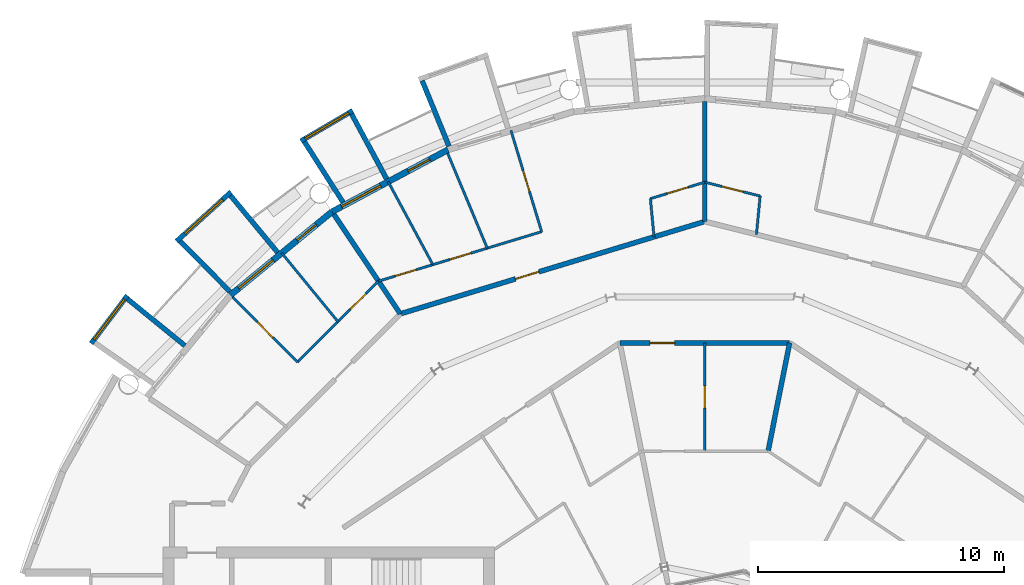
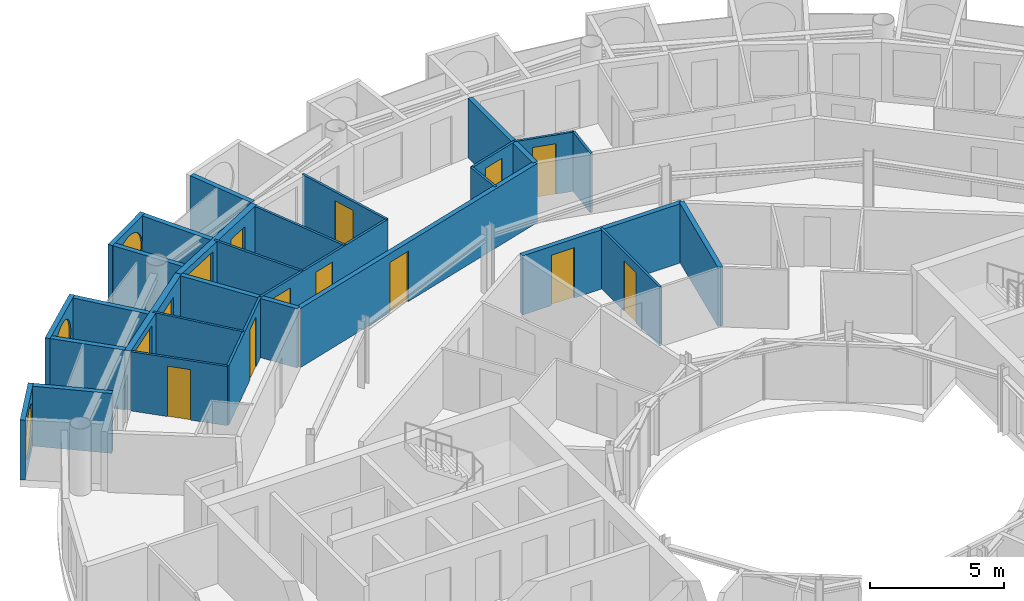
# One storey, part 21 of 28: 28 walls, 12 doors, 5 windows, 17 openings.
"""IFC4 building model written with IfcOpenShell, lengths in metres."""

from ifc_helpers import new_model, si_unit, direction, frame, frame_2d, origin, place, context, subcontext, project, spatial, rectangle, circle, extrude, material, layer, layer_set, type_object, element, fill, save


model = new_model("IFC4")

# Units and contexts
model_context = context("Model", 3, precision=1e-05, world=origin(), true_north=direction((0.0, 1.0)))
body_context = subcontext(model_context, "Body", "Model", "MODEL_VIEW")
ifc_project = project(units=[si_unit("LENGTHUNIT", "METRE"), si_unit("AREAUNIT", "SQUARE_METRE"), si_unit("VOLUMEUNIT", "CUBIC_METRE"), si_unit("PLANEANGLEUNIT", "RADIAN"), si_unit("MASSUNIT", "GRAM", prefix="KILO")], contexts=[model_context])

# Site, building, storey
site_placement = place(None, origin())
site = spatial("IfcSite", under=ifc_project, at=site_placement, CompositionType="ELEMENT")
building_placement = place(site_placement, origin())
building = spatial("IfcBuilding", under=site, at=building_placement, Name="Maasbend Ring Residences", CompositionType="ELEMENT")
storey_placement = place(building_placement, frame((0.0, 0.0, 196.300048828125)))
storey = spatial("IfcBuildingStorey", under=building, at=storey_placement, Name="L56", CompositionType="ELEMENT", Elevation=196.300048828125)

# Wall, opening, door
ifc_material_1 = material(Name="Concrete C30/37", Category="concrete")
ifc_layer_1 = layer(ifc_material_1, 0.199951171875)
ifc_layer_set_1 = layer_set([ifc_layer_1], Name="Concrete C30/37")
wall_type_1 = type_object("IfcWallType", Name="CORRIDOR WALL 200 CONCRETE", PredefinedType="PARTITIONING", material=ifc_layer_set_1)
wall_1_placement = place(storey_placement, frame((-3.452880859375, 17.360107421875, 0.0), z_axis=(0.0, 0.0, 1.0), x_axis=(1.0, 0.0, 0.0)))
wall_1 = element("IfcWall", 1, at=wall_1_placement, inside=storey, type_object=wall_type_1, Name="U-L56-w101", PredefinedType="PARTITIONING", context=body_context, shape_type="SweptSolid", body=[
    extrude(rectangle(XDim=6.90576171875, YDim=0.199951171875, at=frame_2d((3.452880859375, 0.0))), origin(), (0.0, 0.0, 1.0), 2.699951171875),
])
opening_1_placement = place(wall_1_placement, frame((1.22705078125, 0.0, 0.0)))
opening_1 = element("IfcOpeningElement", 2, at=opening_1_placement, cuts=wall_1, Name="Opening D-5624", PredefinedType="OPENING", context=body_context, shape_type="SweptSolid", body=[
    extrude(rectangle(XDim=1.0, YDim=2.300048828125, at=frame_2d((0.5, 1.14990234375))), frame((0.0, 0.10986328125, 0.0), z_axis=(0.0, -1.0, 0.0), x_axis=(1.0, 0.0, 0.0)), (0.0, 0.0, 1.0), 0.219970703125),
])
ifc_material_2 = material(Name="Timber, fire-rated, painted", Category="wood")
door_type_1 = type_object("IfcDoorType", Name="FLAT ENTRANCE DOOR 1000 X 2300 FIRE-RATED", OperationType="NOTDEFINED", PredefinedType="DOOR", material=ifc_material_2)
door_1_placement = place(opening_1_placement, origin())
door_1 = element("IfcDoor", 3, at=door_1_placement, inside=storey, type_object=door_type_1, Name="D-5624", OperationType="SINGLE_SWING_LEFT", OverallHeight=2.300048828125, OverallWidth=1.0, PredefinedType="DOOR", context=body_context, shape_type="SweptSolid", body=[
    extrude(rectangle(XDim=1.0, YDim=2.300048828125, at=frame_2d((0.5, 1.14990234375))), frame((0.0, 0.02490234375, 0.0), z_axis=(0.0, -1.0, 0.0), x_axis=(1.0, 0.0, 0.0)), (0.0, 0.0, 1.0), 0.050048828125),
])
fill(opening_1, door_1)

wall_2_placement = place(storey_placement, frame((-12.388916015625, 18.5419921875, 0.0), z_axis=(0.0, 0.0, 1.0), x_axis=(0.956942051091, 0.290279022415, 0.0)))
wall_2 = element("IfcWall", 4, at=wall_2_placement, inside=storey, type_object=wall_type_1, Name="U-L56-w102", PredefinedType="PARTITIONING", context=body_context, shape_type="SweptSolid", body=[
    extrude(rectangle(XDim=12.9462890625, YDim=0.199951171875, at=frame_2d((6.47314453125, 0.0))), origin(), (0.0, 0.0, 1.0), 2.699951171875),
])
opening_2_placement = place(wall_2_placement, frame((4.89501953125, 0.0, 0.0)))
opening_2 = element("IfcOpeningElement", 5, at=opening_2_placement, cuts=wall_2, Name="Opening D-5611", PredefinedType="OPENING", context=body_context, shape_type="SweptSolid", body=[
    extrude(rectangle(XDim=1.0, YDim=2.300048828125, at=frame_2d((0.5, 1.14990234375))), frame((0.0, 0.10986328125, 0.0), z_axis=(0.0, -1.0, 0.0), x_axis=(1.0, 0.0, 0.0)), (0.0, 0.0, 1.0), 0.219970703125),
])
door_2_placement = place(opening_2_placement, origin())
door_2 = element("IfcDoor", 6, at=door_2_placement, inside=storey, type_object=door_type_1, Name="D-5611", OperationType="SINGLE_SWING_LEFT", OverallHeight=2.300048828125, OverallWidth=1.0, PredefinedType="DOOR", context=body_context, shape_type="SweptSolid", body=[
    extrude(rectangle(XDim=1.0, YDim=2.300048828125, at=frame_2d((0.5, 1.14990234375))), frame((0.0, 0.02490234375, 0.0), z_axis=(0.0, -1.0, 0.0), x_axis=(1.0, 0.0, 0.0)), (0.0, 0.0, 1.0), 0.050048828125),
])
fill(opening_2, door_2)

# Wall
ifc_material_3 = material(Name="Pale anodised aluminium panel", Category="aluminium")
ifc_layer_2 = layer(ifc_material_3, 0.199951171875)
ifc_layer_set_2 = layer_set([ifc_layer_2], Name="EW-BOX")
wall_type_2 = type_object("IfcWallType", Name="EW-BOX", PredefinedType="SOLIDWALL", material=ifc_layer_set_2)
wall_3_placement = place(storey_placement, frame((-10.408935546875, 25.364013671875, -0.030029296875), z_axis=(0.0, 0.0, 1.0), x_axis=(-0.379509886562, 0.925187681501, 0.0)))
element("IfcWall", 7, at=wall_3_placement, inside=storey, type_object=wall_type_2, Name="Box side wall N14 right", PredefinedType="SOLIDWALL", context=body_context, shape_type="SweptSolid", body=[
    extrude(rectangle(XDim=2.882568359375, YDim=0.199951171875, at=frame_2d((1.44140625, 0.0))), origin(), (0.0, 0.0, 1.0), 2.72998046875),
])

# Wall, opening, window
wall_4_placement = place(storey_placement, frame((-14.326904296875, 26.81201171875, -0.030029296875), z_axis=(0.0, 0.0, 1.0), x_axis=(-0.862403467503, -0.506221551535, 0.0)))
wall_4 = element("IfcWall", 8, at=wall_4_placement, inside=storey, type_object=wall_type_2, Name="Box front N16", PredefinedType="SOLIDWALL", context=body_context, shape_type="SweptSolid", body=[
    extrude(rectangle(XDim=2.445556640625, YDim=0.199951171875, at=frame_2d((1.22265625, 0.0))), origin(), (0.0, 0.0, 1.0), 2.72998046875),
])
opening_3_placement = place(wall_4_placement, frame((0.182861328125, 0.0, 0.330078125)))
opening_3 = element("IfcOpeningElement", 9, at=opening_3_placement, cuts=wall_4, Name="Opening W-RD", PredefinedType="OPENING", context=body_context, shape_type="SweptSolid", body=[
    extrude(circle(Radius=1.0400390625, at=frame_2d((1.0400390625, 1.0400390625))), frame((0.0, 0.10986328125, 0.0), z_axis=(0.0, -1.0, 0.0), x_axis=(1.0, 0.0, 0.0)), (0.0, 0.0, 1.0), 0.219970703125),
])
ifc_material_4 = material(Name="Aluminium and clear glass", Category="aluminium")
window_type_1 = type_object("IfcWindowType", Name="W-RD", PartitioningType="SINGLE_PANEL", PredefinedType="WINDOW", material=ifc_material_4)
window_1_placement = place(opening_3_placement, origin())
window_1 = element("IfcWindow", 10, at=window_1_placement, inside=storey, type_object=window_type_1, Name="Round window N16", OverallHeight=2.080078125, OverallWidth=2.080078125, PartitioningType="SINGLE_PANEL", PredefinedType="WINDOW", context=body_context, shape_type="SweptSolid", body=[
    extrude(circle(Radius=1.0400390625, at=frame_2d((1.0400390625, 1.0400390625))), frame((0.0, 0.030029296875, 0.0), z_axis=(0.0, -1.0, 0.0), x_axis=(1.0, 0.0, 0.0)), (0.0, 0.0, 1.0), 0.06005859375),
])
fill(opening_3, window_1)

# Walls
wall_5_placement = place(storey_placement, frame((-12.945068359375, 24.029052734375, -0.030029296875), z_axis=(0.0, 0.0, 1.0), x_axis=(-0.474424310775, 0.88029629861, 0.0)))
element("IfcWall", 11, at=wall_5_placement, inside=storey, type_object=wall_type_2, Name="Box side wall N16 left", PredefinedType="SOLIDWALL", context=body_context, shape_type="SweptSolid", body=[
    extrude(rectangle(XDim=3.005859375, YDim=0.199951171875, at=frame_2d((1.5029296875, 0.0))), origin(), (0.0, 0.0, 1.0), 2.72998046875),
])
wall_6_placement = place(storey_placement, frame((-14.721923828125, 23.0791015625, -0.030029296875), z_axis=(0.0, 0.0, 1.0), x_axis=(-0.537572179146, 0.843217737129, 0.0)))
element("IfcWall", 12, at=wall_6_placement, inside=storey, type_object=wall_type_2, Name="Box side wall N16 right", PredefinedType="SOLIDWALL", context=body_context, shape_type="SweptSolid", body=[
    extrude(rectangle(XDim=2.92431640625, YDim=0.199951171875, at=frame_2d((1.462158203125, 0.0))), origin(), (0.0, 0.0, 1.0), 2.72998046875),
])

# Wall, opening, window
wall_7_placement = place(storey_placement, frame((-19.281982421875, 23.5029296875, -0.030029296875), z_axis=(0.0, 0.0, 1.0), x_axis=(-0.740998365753, -0.671506829416, 0.0)))
wall_7 = element("IfcWall", 13, at=wall_7_placement, inside=storey, type_object=wall_type_2, Name="Box front N18", PredefinedType="SOLIDWALL", context=body_context, shape_type="SweptSolid", body=[
    extrude(rectangle(XDim=2.9931640625, YDim=0.199951171875, at=frame_2d((1.49658203125, 0.0))), origin(), (0.0, 0.0, 1.0), 2.72998046875),
])
opening_4_placement = place(wall_7_placement, frame((0.45654296875, 0.0, 0.330078125)))
opening_4 = element("IfcOpeningElement", 14, at=opening_4_placement, cuts=wall_7, Name="Opening W-RD", PredefinedType="OPENING", context=body_context, shape_type="SweptSolid", body=[
    extrude(circle(Radius=1.0400390625, at=frame_2d((1.0400390625, 1.0400390625))), frame((0.0, 0.10986328125, 0.0), z_axis=(0.0, -1.0, 0.0), x_axis=(1.0, 0.0, 0.0)), (0.0, 0.0, 1.0), 0.219970703125),
])
window_2_placement = place(opening_4_placement, origin())
window_2 = element("IfcWindow", 15, at=window_2_placement, inside=storey, type_object=window_type_1, Name="Round window N18", OverallHeight=2.080078125, OverallWidth=2.080078125, PartitioningType="SINGLE_PANEL", PredefinedType="WINDOW", context=body_context, shape_type="SweptSolid", body=[
    extrude(circle(Radius=1.0400390625, at=frame_2d((1.0400390625, 1.0400390625))), frame((0.0, 0.030029296875, 0.0), z_axis=(0.0, -1.0, 0.0), x_axis=(1.0, 0.0, 0.0)), (0.0, 0.0, 1.0), 0.06005859375),
])
fill(opening_4, window_2)

# Walls
wall_8_placement = place(storey_placement, frame((-17.384033203125, 21.041015625, -0.030029296875), z_axis=(0.0, 0.0, 1.0), x_axis=(-0.63709551667, 0.770784861449, 0.0)))
element("IfcWall", 16, at=wall_8_placement, inside=storey, type_object=wall_type_2, Name="Box side wall N18 left", PredefinedType="SOLIDWALL", context=body_context, shape_type="SweptSolid", body=[
    extrude(rectangle(XDim=3.005859375, YDim=0.199951171875, at=frame_2d((1.5029296875, 0.0))), origin(), (0.0, 0.0, 1.0), 2.72998046875),
])
wall_9_placement = place(storey_placement, frame((-19.322998046875, 19.449951171875, -0.030029296875), z_axis=(0.0, 0.0, 1.0), x_axis=(-0.704476739375, 0.709727076896, 0.0)))
element("IfcWall", 17, at=wall_9_placement, inside=storey, type_object=wall_type_2, Name="Box side wall N18 right", PredefinedType="SOLIDWALL", context=body_context, shape_type="SweptSolid", body=[
    extrude(rectangle(XDim=2.883056640625, YDim=0.199951171875, at=frame_2d((1.44140625, 0.0))), origin(), (0.0, 0.0, 1.0), 2.72998046875),
])

# Wall, opening, window
wall_10_placement = place(storey_placement, frame((-23.4970703125, 19.2890625, -0.030029296875), z_axis=(0.0, 0.0, 1.0), x_axis=(-0.602806268067, -0.797887588059, 0.0)))
wall_10 = element("IfcWall", 18, at=wall_10_placement, inside=storey, type_object=wall_type_2, Name="Box front N20", PredefinedType="SOLIDWALL", context=body_context, shape_type="SweptSolid", body=[
    extrude(rectangle(XDim=2.446533203125, YDim=0.199951171875, at=frame_2d((1.22314453125, 0.0))), origin(), (0.0, 0.0, 1.0), 2.72998046875),
])
opening_5_placement = place(wall_10_placement, frame((0.182861328125, 0.0, 0.330078125)))
opening_5 = element("IfcOpeningElement", 19, at=opening_5_placement, cuts=wall_10, Name="Opening W-RD", PredefinedType="OPENING", context=body_context, shape_type="SweptSolid", body=[
    extrude(circle(Radius=1.0400390625, at=frame_2d((1.0400390625, 1.0400390625))), frame((0.0, 0.10986328125, 0.0), z_axis=(0.0, -1.0, 0.0), x_axis=(1.0, 0.0, 0.0)), (0.0, 0.0, 1.0), 0.219970703125),
])
window_3_placement = place(opening_5_placement, origin())
window_3 = element("IfcWindow", 20, at=window_3_placement, inside=storey, type_object=window_type_1, Name="Round window N20", OverallHeight=2.080078125, OverallWidth=2.080078125, PartitioningType="SINGLE_PANEL", PredefinedType="WINDOW", context=body_context, shape_type="SweptSolid", body=[
    extrude(circle(Radius=1.0400390625, at=frame_2d((1.0400390625, 1.0400390625))), frame((0.0, 0.030029296875, 0.0), z_axis=(0.0, -1.0, 0.0), x_axis=(1.0, 0.0, 0.0)), (0.0, 0.0, 1.0), 0.06005859375),
])
fill(opening_5, window_3)

# Wall
wall_11_placement = place(storey_placement, frame((-21.155029296875, 17.24609375, -0.030029296875), z_axis=(0.0, 0.0, 1.0), x_axis=(-0.775179004516, 0.631741648902, 0.0)))
element("IfcWall", 21, at=wall_11_placement, inside=storey, type_object=wall_type_2, Name="Box side wall N20 left", PredefinedType="SOLIDWALL", context=body_context, shape_type="SweptSolid", body=[
    extrude(rectangle(XDim=3.005859375, YDim=0.199951171875, at=frame_2d((1.5029296875, 0.0))), origin(), (0.0, 0.0, 1.0), 2.72998046875),
])

# Wall, openings, door, window
ifc_material_5 = material(Name="Aluminium clad insulated panel", Category="aluminium")
ifc_layer_3 = layer(ifc_material_5, 0.25)
ifc_layer_set_3 = layer_set([ifc_layer_3], Name="EW-GL")
wall_type_3 = type_object("IfcWallType", Name="EW-GL", PredefinedType="SOLIDWALL", material=ifc_layer_set_3)
wall_12_placement = place(storey_placement, frame((-10.447021484375, 25.221923828125, 0.0), z_axis=(0.0, 0.0, 1.0), x_axis=(-0.881915646801, -0.471407246368, 0.0)))
wall_12 = element("IfcWall", 22, at=wall_12_placement, inside=storey, type_object=wall_type_3, Name="External wall N08", PredefinedType="SOLIDWALL", context=body_context, shape_type="SweptSolid", body=[
    extrude(rectangle(XDim=5.35205078125, YDim=0.25, at=frame_2d((2.676025390625, 0.0))), origin(), (0.0, 0.0, 1.0), 2.699951171875),
])
opening_6_placement = place(wall_12_placement, frame((0.841064453125, 0.0, 0.0)))
opening_6 = element("IfcOpeningElement", 23, at=opening_6_placement, cuts=wall_12, Name="Opening D-LG", PredefinedType="OPENING", context=body_context, shape_type="SweptSolid", body=[
    extrude(rectangle(XDim=1.0, YDim=2.199951171875, at=frame_2d((0.5, 1.10009765625))), frame((0.0, 0.135009765625, 0.0), z_axis=(0.0, -1.0, 0.0), x_axis=(1.0, 0.0, 0.0)), (0.0, 0.0, 1.0), 0.27001953125),
])
opening_7_placement = place(wall_12_placement, frame((3.110595703125, 0.0, 0.300048828125)))
opening_7 = element("IfcOpeningElement", 24, at=opening_7_placement, cuts=wall_12, Name="Opening W-BX", PredefinedType="OPENING", context=body_context, shape_type="SweptSolid", body=[
    extrude(rectangle(XDim=1.800048828125, YDim=2.10009765625, at=frame_2d((0.89990234375, 1.050048828125))), frame((0.0, 0.135009765625, 0.0), z_axis=(0.0, -1.0, 0.0), x_axis=(1.0, 0.0, 0.0)), (0.0, 0.0, 1.0), 0.27001953125),
])
ifc_material_6 = material(Name="Aluminium and clear glass", Category="aluminium")
door_type_2 = type_object("IfcDoorType", Name="D-LG", OperationType="SINGLE_SWING_LEFT", PredefinedType="DOOR", material=ifc_material_6)
door_3_placement = place(opening_6_placement, origin())
door_3 = element("IfcDoor", 25, at=door_3_placement, inside=storey, type_object=door_type_2, Name="Loggia door N15", OperationType="SINGLE_SWING_LEFT", OverallHeight=2.199951171875, OverallWidth=1.0, PredefinedType="DOOR", context=body_context, shape_type="SweptSolid", body=[
    extrude(rectangle(XDim=1.0, YDim=2.199951171875, at=frame_2d((0.5, 1.10009765625))), frame((0.0, 0.02490234375, 0.0), z_axis=(0.0, -1.0, 0.0), x_axis=(1.0, 0.0, 0.0)), (0.0, 0.0, 1.0), 0.050048828125),
])
fill(opening_6, door_3)
ifc_material_7 = material(Name="Aluminium and clear glass", Category="aluminium")
window_type_2 = type_object("IfcWindowType", Name="W-BX", PartitioningType="DOUBLE_PANEL_VERTICAL", PredefinedType="WINDOW", material=ifc_material_7)
window_4_placement = place(opening_7_placement, origin())
window_4 = element("IfcWindow", 26, at=window_4_placement, inside=storey, type_object=window_type_2, Name="Window N16 room to box", OverallHeight=2.10009765625, OverallWidth=1.800048828125, PartitioningType="SINGLE_PANEL", PredefinedType="WINDOW", context=body_context, shape_type="SweptSolid", body=[
    extrude(rectangle(XDim=1.800048828125, YDim=2.10009765625, at=frame_2d((0.89990234375, 1.050048828125))), frame((0.0, 0.030029296875, 0.0), z_axis=(0.0, -1.0, 0.0), x_axis=(1.0, 0.0, 0.0)), (0.0, 0.0, 1.0), 0.06005859375),
])
fill(opening_7, window_4)

wall_13_placement = place(storey_placement, frame((-15.1669921875, 22.698974609375, 0.0), z_axis=(0.0, 0.0, 1.0), x_axis=(-0.773019449054, -0.634382322723, 0.0)))
wall_13 = element("IfcWall", 27, at=wall_13_placement, inside=storey, type_object=wall_type_3, Name="External wall N09", PredefinedType="SOLIDWALL", context=body_context, shape_type="SweptSolid", body=[
    extrude(rectangle(XDim=5.351806640625, YDim=0.25, at=frame_2d((2.67578125, 0.0))), origin(), (0.0, 0.0, 1.0), 2.699951171875),
])
opening_8_placement = place(wall_13_placement, frame((0.841064453125, 0.0, 0.0)))
opening_8 = element("IfcOpeningElement", 28, at=opening_8_placement, cuts=wall_13, Name="Opening D-LG", PredefinedType="OPENING", context=body_context, shape_type="SweptSolid", body=[
    extrude(rectangle(XDim=1.0, YDim=2.199951171875, at=frame_2d((0.5, 1.10009765625))), frame((0.0, 0.135009765625, 0.0), z_axis=(0.0, -1.0, 0.0), x_axis=(1.0, 0.0, 0.0)), (0.0, 0.0, 1.0), 0.27001953125),
])
opening_9_placement = place(wall_13_placement, frame((3.110595703125, 0.0, 0.300048828125)))
opening_9 = element("IfcOpeningElement", 29, at=opening_9_placement, cuts=wall_13, Name="Opening W-BX", PredefinedType="OPENING", context=body_context, shape_type="SweptSolid", body=[
    extrude(rectangle(XDim=1.800048828125, YDim=2.10009765625, at=frame_2d((0.89990234375, 1.050048828125))), frame((0.0, 0.135009765625, 0.0), z_axis=(0.0, -1.0, 0.0), x_axis=(1.0, 0.0, 0.0)), (0.0, 0.0, 1.0), 0.27001953125),
])
door_4_placement = place(opening_8_placement, origin())
door_4 = element("IfcDoor", 30, at=door_4_placement, inside=storey, type_object=door_type_2, Name="Loggia door N17", OperationType="SINGLE_SWING_LEFT", OverallHeight=2.199951171875, OverallWidth=1.0, PredefinedType="DOOR", context=body_context, shape_type="SweptSolid", body=[
    extrude(rectangle(XDim=1.0, YDim=2.199951171875, at=frame_2d((0.5, 1.10009765625))), frame((0.0, 0.02490234375, 0.0), z_axis=(0.0, -1.0, 0.0), x_axis=(1.0, 0.0, 0.0)), (0.0, 0.0, 1.0), 0.050048828125),
])
fill(opening_8, door_4)
window_5_placement = place(opening_9_placement, origin())
window_5 = element("IfcWindow", 31, at=window_5_placement, inside=storey, type_object=window_type_2, Name="Window N18 room to box", OverallHeight=2.10009765625, OverallWidth=1.800048828125, PartitioningType="SINGLE_PANEL", PredefinedType="WINDOW", context=body_context, shape_type="SweptSolid", body=[
    extrude(rectangle(XDim=1.800048828125, YDim=2.10009765625, at=frame_2d((0.89990234375, 1.050048828125))), frame((0.0, 0.030029296875, 0.0), z_axis=(0.0, -1.0, 0.0), x_axis=(1.0, 0.0, 0.0)), (0.0, 0.0, 1.0), 0.06005859375),
])
fill(opening_9, window_5)

# Wall, opening, door
ifc_material_8 = material(Name="Gypsum board on steel studs", Category="steel")
ifc_layer_4 = layer(ifc_material_8, 0.10009765625)
ifc_layer_set_4 = layer_set([ifc_layer_4], Name="PARTITION 100 GYPSUM")
wall_type_4 = type_object("IfcWallType", Name="PARTITION 100 GYPSUM", PredefinedType="PARTITIONING", material=ifc_layer_set_4)
wall_14_placement = place(storey_placement, frame((-19.216064453125, 19.216064453125, 0.0), z_axis=(0.0, 0.0, 1.0), x_axis=(0.707106781187, -0.707106781187, 0.0)))
wall_14 = element("IfcWall", 32, at=wall_14_placement, inside=storey, type_object=wall_type_4, Name="U-L56-w037", PredefinedType="PARTITIONING", context=body_context, shape_type="SweptSolid", body=[
    extrude(rectangle(XDim=3.735107421875, YDim=0.10009765625, at=frame_2d((1.86767578125, 0.0))), origin(), (0.0, 0.0, 1.0), 2.699951171875),
])
opening_10_placement = place(wall_14_placement, frame((1.4169921875, 0.0, 0.0)))
opening_10 = element("IfcOpeningElement", 33, at=opening_10_placement, cuts=wall_14, Name="Opening D-5618", PredefinedType="OPENING", context=body_context, shape_type="SweptSolid", body=[
    extrude(rectangle(XDim=0.89990234375, YDim=2.300048828125, at=frame_2d((0.449951171875, 1.14990234375))), frame((0.0, 0.06005859375, 0.0), z_axis=(0.0, -1.0, 0.0), x_axis=(1.0, 0.0, 0.0)), (0.0, 0.0, 1.0), 0.1201171875),
])
ifc_material_9 = material(Name="Timber, painted", Category="wood")
door_type_3 = type_object("IfcDoorType", Name="INTERNAL DOOR 900 X 2300", OperationType="NOTDEFINED", PredefinedType="DOOR", material=ifc_material_9)
door_5_placement = place(opening_10_placement, origin())
door_5 = element("IfcDoor", 34, at=door_5_placement, inside=storey, type_object=door_type_3, Name="D-5618", OperationType="SINGLE_SWING_LEFT", OverallHeight=2.300048828125, OverallWidth=0.89990234375, PredefinedType="DOOR", context=body_context, shape_type="SweptSolid", body=[
    extrude(rectangle(XDim=0.89990234375, YDim=2.300048828125, at=frame_2d((0.449951171875, 1.14990234375))), frame((0.0, 0.02490234375, 0.0), z_axis=(0.0, -1.0, 0.0), x_axis=(1.0, 0.0, 0.0)), (0.0, 0.0, 1.0), 0.050048828125),
])
fill(opening_10, door_5)

# Walls
wall_15_placement = place(storey_placement, frame((-17.219970703125, 21.02294921875, 0.0), z_axis=(0.0, 0.0, 1.0), x_axis=(0.633737383709, -0.773548271597, 0.0)))
element("IfcWall", 35, at=wall_15_placement, inside=storey, type_object=wall_type_4, Name="U-L56-w038", PredefinedType="PARTITIONING", context=body_context, shape_type="SweptSolid", body=[
    extrude(rectangle(XDim=3.6181640625, YDim=0.10009765625, at=frame_2d((1.80908203125, 0.0))), origin(), (0.0, 0.0, 1.0), 2.699951171875),
])
wall_16_placement = place(storey_placement, frame((-12.886962890625, 23.925048828125, 0.0), z_axis=(0.0, 0.0, 1.0), x_axis=(0.474281720599, -0.88037313084, 0.0)))
element("IfcWall", 36, at=wall_16_placement, inside=storey, type_object=wall_type_4, Name="U-L56-w042", PredefinedType="PARTITIONING", context=body_context, shape_type="SweptSolid", body=[
    extrude(rectangle(XDim=3.841552734375, YDim=0.10009765625, at=frame_2d((1.9208984375, 0.0))), origin(), (0.0, 0.0, 1.0), 2.699951171875),
])
wall_17_placement = place(storey_placement, frame((-10.465087890625, 25.0791015625, 0.0), z_axis=(0.0, 0.0, 1.0), x_axis=(0.385232176411, -0.922819684585, 0.0)))
element("IfcWall", 37, at=wall_17_placement, inside=storey, type_object=wall_type_4, Name="U-L56-w045", PredefinedType="PARTITIONING", context=body_context, shape_type="SweptSolid", body=[
    extrude(rectangle(XDim=4.187255859375, YDim=0.10009765625, at=frame_2d((2.09375, 0.0))), origin(), (0.0, 0.0, 1.0), 2.699951171875),
])

# Wall, opening, door
wall_18_placement = place(storey_placement, frame((-7.887939453125, 26.0048828125, 0.0), z_axis=(0.0, 0.0, 1.0), x_axis=(0.290193157742, -0.956968093094, 0.0)))
wall_18 = element("IfcWall", 38, at=wall_18_placement, inside=storey, type_object=wall_type_4, Name="U-L56-w050", PredefinedType="PARTITIONING", context=body_context, shape_type="SweptSolid", body=[
    extrude(rectangle(XDim=4.30419921875, YDim=0.10009765625, at=frame_2d((2.152099609375, 0.0))), origin(), (0.0, 0.0, 1.0), 2.699951171875),
])
opening_11_placement = place(wall_18_placement, frame((1.701904296875, 0.0, 0.0)))
opening_11 = element("IfcOpeningElement", 39, at=opening_11_placement, cuts=wall_18, Name="Opening D-5613", PredefinedType="OPENING", context=body_context, shape_type="SweptSolid", body=[
    extrude(rectangle(XDim=0.89990234375, YDim=2.300048828125, at=frame_2d((0.449951171875, 1.14990234375))), frame((0.0, 0.06005859375, 0.0), z_axis=(0.0, -1.0, 0.0), x_axis=(1.0, 0.0, 0.0)), (0.0, 0.0, 1.0), 0.1201171875),
])
door_6_placement = place(opening_11_placement, origin())
door_6 = element("IfcDoor", 40, at=door_6_placement, inside=storey, type_object=door_type_3, Name="D-5613", OperationType="SINGLE_SWING_LEFT", OverallHeight=2.300048828125, OverallWidth=0.89990234375, PredefinedType="DOOR", context=body_context, shape_type="SweptSolid", body=[
    extrude(rectangle(XDim=0.89990234375, YDim=2.300048828125, at=frame_2d((0.449951171875, 1.14990234375))), frame((0.0, 0.02490234375, 0.0), z_axis=(0.0, -1.0, 0.0), x_axis=(1.0, 0.0, 0.0)), (0.0, 0.0, 1.0), 0.050048828125),
])
fill(opening_11, door_6)

# Wall
wall_19_placement = place(storey_placement, frame((-2.212890625, 23.22900390625, 0.0), z_axis=(0.0, 0.0, 1.0), x_axis=(0.094720578196, -0.995503898569, 0.0)))
element("IfcWall", 41, at=wall_19_placement, inside=storey, type_object=wall_type_4, Name="U-L56-w056", PredefinedType="PARTITIONING", context=body_context, shape_type="SweptSolid", body=[
    extrude(rectangle(XDim=1.56201171875, YDim=0.10009765625, at=frame_2d((0.781005859375, 0.0))), origin(), (0.0, 0.0, 1.0), 2.699951171875),
])

# Wall, opening, door
wall_20_placement = place(storey_placement, frame((0.0, 12.955078125, 0.0), z_axis=(0.0, 0.0, 1.0), x_axis=(0.0, 1.0, 0.0)))
wall_20 = element("IfcWall", 42, at=wall_20_placement, inside=storey, type_object=wall_type_4, Name="U-L56-w060", PredefinedType="PARTITIONING", context=body_context, shape_type="SweptSolid", body=[
    extrude(rectangle(XDim=4.405029296875, YDim=0.10009765625, at=frame_2d((2.20263671875, 0.0))), origin(), (0.0, 0.0, 1.0), 2.699951171875),
])
opening_12_placement = place(wall_20_placement, frame((1.751953125, 0.0, 0.0)))
opening_12 = element("IfcOpeningElement", 43, at=opening_12_placement, cuts=wall_20, Name="Opening D-5625", PredefinedType="OPENING", context=body_context, shape_type="SweptSolid", body=[
    extrude(rectangle(XDim=0.89990234375, YDim=2.300048828125, at=frame_2d((0.449951171875, 1.14990234375))), frame((0.0, 0.06005859375, 0.0), z_axis=(0.0, -1.0, 0.0), x_axis=(1.0, 0.0, 0.0)), (0.0, 0.0, 1.0), 0.1201171875),
])
door_7_placement = place(opening_12_placement, origin())
door_7 = element("IfcDoor", 44, at=door_7_placement, inside=storey, type_object=door_type_3, Name="D-5625", OperationType="SINGLE_SWING_LEFT", OverallHeight=2.300048828125, OverallWidth=0.89990234375, PredefinedType="DOOR", context=body_context, shape_type="SweptSolid", body=[
    extrude(rectangle(XDim=0.89990234375, YDim=2.300048828125, at=frame_2d((0.449951171875, 1.14990234375))), frame((0.0, 0.02490234375, 0.0), z_axis=(0.0, -1.0, 0.0), x_axis=(1.0, 0.0, 0.0)), (0.0, 0.0, 1.0), 0.050048828125),
])
fill(opening_12, door_7)

# Wall
wall_21_placement = place(storey_placement, frame((2.10205078125, 21.77294921875, 0.0), z_axis=(0.0, 0.0, 1.0), x_axis=(0.09608568494, 0.995373066317, 0.0)))
element("IfcWall", 45, at=wall_21_placement, inside=storey, type_object=wall_type_4, Name="U-L56-w063", PredefinedType="PARTITIONING", context=body_context, shape_type="SweptSolid", body=[
    extrude(rectangle(XDim=1.5703125, YDim=0.10009765625, at=frame_2d((0.78515625, 0.0))), origin(), (0.0, 0.0, 1.0), 2.699951171875),
])

# Wall, openings, doors
wall_22_placement = place(storey_placement, frame((-13.281005859375, 19.87109375, 0.0), z_axis=(0.0, 0.0, 1.0), x_axis=(0.956938868877, 0.290289512785, 0.0)))
wall_22 = element("IfcWall", 46, at=wall_22_placement, inside=storey, type_object=wall_type_4, Name="U-L56-w110", PredefinedType="PARTITIONING", context=body_context, shape_type="SweptSolid", body=[
    extrude(rectangle(XDim=6.94091796875, YDim=0.10009765625, at=frame_2d((3.470458984375, 0.0))), origin(), (0.0, 0.0, 1.0), 2.699951171875),
])
opening_13_placement = place(wall_22_placement, frame((3.02490234375, 0.0, 0.0)))
opening_13 = element("IfcOpeningElement", 47, at=opening_13_placement, cuts=wall_22, Name="Opening D-5614", PredefinedType="OPENING", context=body_context, shape_type="SweptSolid", body=[
    extrude(rectangle(XDim=0.89990234375, YDim=2.300048828125, at=frame_2d((0.449951171875, 1.14990234375))), frame((0.0, 0.06005859375, 0.0), z_axis=(0.0, -1.0, 0.0), x_axis=(1.0, 0.0, 0.0)), (0.0, 0.0, 1.0), 0.1201171875),
])
opening_14_placement = place(wall_22_placement, frame((0.7080078125, 0.0, 0.0)))
opening_14 = element("IfcOpeningElement", 48, at=opening_14_placement, cuts=wall_22, Name="Opening D-5615", PredefinedType="OPENING", context=body_context, shape_type="SweptSolid", body=[
    extrude(rectangle(XDim=0.89990234375, YDim=2.300048828125, at=frame_2d((0.449951171875, 1.14990234375))), frame((0.0, 0.06005859375, 0.0), z_axis=(0.0, -1.0, 0.0), x_axis=(1.0, 0.0, 0.0)), (0.0, 0.0, 1.0), 0.1201171875),
])
door_8_placement = place(opening_13_placement, origin())
door_8 = element("IfcDoor", 49, at=door_8_placement, inside=storey, type_object=door_type_3, Name="D-5614", OperationType="SINGLE_SWING_RIGHT", OverallHeight=2.300048828125, OverallWidth=0.89990234375, PredefinedType="DOOR", context=body_context, shape_type="SweptSolid", body=[
    extrude(rectangle(XDim=0.89990234375, YDim=2.300048828125, at=frame_2d((0.449951171875, 1.14990234375))), frame((0.0, 0.02490234375, 0.0), z_axis=(0.0, -1.0, 0.0), x_axis=(1.0, 0.0, 0.0)), (0.0, 0.0, 1.0), 0.050048828125),
])
fill(opening_13, door_8)
door_9_placement = place(opening_14_placement, origin())
door_9 = element("IfcDoor", 50, at=door_9_placement, inside=storey, type_object=door_type_3, Name="D-5615", OperationType="SINGLE_SWING_LEFT", OverallHeight=2.300048828125, OverallWidth=0.89990234375, PredefinedType="DOOR", context=body_context, shape_type="SweptSolid", body=[
    extrude(rectangle(XDim=0.89990234375, YDim=2.300048828125, at=frame_2d((0.449951171875, 1.14990234375))), frame((0.0, 0.02490234375, 0.0), z_axis=(0.0, -1.0, 0.0), x_axis=(1.0, 0.0, 0.0)), (0.0, 0.0, 1.0), 0.050048828125),
])
fill(opening_14, door_9)

# Wall, opening, door
wall_23_placement = place(storey_placement, frame((-2.216064453125, 23.22802734375, 0.0), z_axis=(0.0, 0.0, 1.0), x_axis=(0.956912517924, 0.290376364464, 0.0)))
wall_23 = element("IfcWall", 51, at=wall_23_placement, inside=storey, type_object=wall_type_4, Name="U-L56-w111", PredefinedType="PARTITIONING", context=body_context, shape_type="SweptSolid", body=[
    extrude(rectangle(XDim=2.313720703125, YDim=0.10009765625, at=frame_2d((1.15673828125, 0.0))), origin(), (0.0, 0.0, 1.0), 2.699951171875),
])
opening_15_placement = place(wall_23_placement, frame((0.7099609375, 0.0, 0.0)))
opening_15 = element("IfcOpeningElement", 52, at=opening_15_placement, cuts=wall_23, Name="Opening D-5612", PredefinedType="OPENING", context=body_context, shape_type="SweptSolid", body=[
    extrude(rectangle(XDim=0.89990234375, YDim=2.300048828125, at=frame_2d((0.449951171875, 1.14990234375))), frame((0.0, 0.06005859375, 0.0), z_axis=(0.0, -1.0, 0.0), x_axis=(1.0, 0.0, 0.0)), (0.0, 0.0, 1.0), 0.1201171875),
])
door_10_placement = place(opening_15_placement, origin())
door_10 = element("IfcDoor", 53, at=door_10_placement, inside=storey, type_object=door_type_3, Name="D-5612", OperationType="SINGLE_SWING_RIGHT", OverallHeight=2.300048828125, OverallWidth=0.89990234375, PredefinedType="DOOR", context=body_context, shape_type="SweptSolid", body=[
    extrude(rectangle(XDim=0.89990234375, YDim=2.300048828125, at=frame_2d((0.449951171875, 1.14990234375))), frame((0.0, 0.02490234375, 0.0), z_axis=(0.0, -1.0, 0.0), x_axis=(1.0, 0.0, 0.0)), (0.0, 0.0, 1.0), 0.050048828125),
])
fill(opening_15, door_10)

wall_24_placement = place(storey_placement, frame((0.0029296875, 23.89892578125, 0.0), z_axis=(0.0, 0.0, 1.0), x_axis=(0.970074448647, -0.242807668911, 0.0)))
wall_24 = element("IfcWall", 54, at=wall_24_placement, inside=storey, type_object=wall_type_4, Name="U-L56-w112", PredefinedType="PARTITIONING", context=body_context, shape_type="SweptSolid", body=[
    extrude(rectangle(XDim=2.32275390625, YDim=0.10009765625, at=frame_2d((1.161376953125, 0.0))), origin(), (0.0, 0.0, 1.0), 2.699951171875),
])
opening_16_placement = place(wall_24_placement, frame((0.7080078125, 0.0, 0.0)))
opening_16 = element("IfcOpeningElement", 55, at=opening_16_placement, cuts=wall_24, Name="Opening D-5607", PredefinedType="OPENING", context=body_context, shape_type="SweptSolid", body=[
    extrude(rectangle(XDim=0.89990234375, YDim=2.300048828125, at=frame_2d((0.449951171875, 1.14990234375))), frame((0.0, 0.06005859375, 0.0), z_axis=(0.0, -1.0, 0.0), x_axis=(1.0, 0.0, 0.0)), (0.0, 0.0, 1.0), 0.1201171875),
])
door_11_placement = place(opening_16_placement, origin())
door_11 = element("IfcDoor", 56, at=door_11_placement, inside=storey, type_object=door_type_3, Name="D-5607", OperationType="SINGLE_SWING_LEFT", OverallHeight=2.300048828125, OverallWidth=0.89990234375, PredefinedType="DOOR", context=body_context, shape_type="SweptSolid", body=[
    extrude(rectangle(XDim=0.89990234375, YDim=2.300048828125, at=frame_2d((0.449951171875, 1.14990234375))), frame((0.0, 0.02490234375, 0.0), z_axis=(0.0, -1.0, 0.0), x_axis=(1.0, 0.0, 0.0)), (0.0, 0.0, 1.0), 0.050048828125),
])
fill(opening_16, door_11)

wall_25_placement = place(storey_placement, frame((-16.574951171875, 16.574951171875, 0.0), z_axis=(0.0, 0.0, 1.0), x_axis=(0.707080600289, 0.707132961115, 0.0)))
wall_25 = element("IfcWall", 57, at=wall_25_placement, inside=storey, type_object=wall_type_4, Name="U-L56-w117", PredefinedType="PARTITIONING", context=body_context, shape_type="SweptSolid", body=[
    extrude(rectangle(XDim=4.66259765625, YDim=0.10009765625, at=frame_2d((2.331298828125, 0.0))), origin(), (0.0, 0.0, 1.0), 2.699951171875),
])
opening_17_placement = place(wall_25_placement, frame((3.04296875, 0.0, 0.0)))
opening_17 = element("IfcOpeningElement", 58, at=opening_17_placement, cuts=wall_25, Name="Opening D-5619", PredefinedType="OPENING", context=body_context, shape_type="SweptSolid", body=[
    extrude(rectangle(XDim=0.89990234375, YDim=2.300048828125, at=frame_2d((0.449951171875, 1.14990234375))), frame((0.0, 0.06005859375, 0.0), z_axis=(0.0, -1.0, 0.0), x_axis=(1.0, 0.0, 0.0)), (0.0, 0.0, 1.0), 0.1201171875),
])
door_12_placement = place(opening_17_placement, origin())
door_12 = element("IfcDoor", 59, at=door_12_placement, inside=storey, type_object=door_type_3, Name="D-5619", OperationType="SINGLE_SWING_RIGHT", OverallHeight=2.300048828125, OverallWidth=0.89990234375, PredefinedType="DOOR", context=body_context, shape_type="SweptSolid", body=[
    extrude(rectangle(XDim=0.89990234375, YDim=2.300048828125, at=frame_2d((0.449951171875, 1.14990234375))), frame((0.0, 0.02490234375, 0.0), z_axis=(0.0, -1.0, 0.0), x_axis=(1.0, 0.0, 0.0)), (0.0, 0.0, 1.0), 0.050048828125),
])
fill(opening_17, door_12)

# Walls
ifc_material_10 = material(Name="Concrete C30/37", Category="concrete")
ifc_layer_5 = layer(ifc_material_10, 0.199951171875)
ifc_layer_set_5 = layer_set([ifc_layer_5], Name="Concrete C30/37")
wall_type_5 = type_object("IfcWallType", Name="PARTY WALL 200 CONCRETE", PredefinedType="PARTITIONING", material=ifc_layer_set_5)
wall_26_placement = place(storey_placement, frame((-15.096923828125, 22.595947265625, 0.0), z_axis=(0.0, 0.0, 1.0), x_axis=(0.555462686211, -0.831541462723, 0.0)))
element("IfcWall", 60, at=wall_26_placement, inside=storey, type_object=wall_type_5, Name="U-L56-w039", PredefinedType="PARTITIONING", context=body_context, shape_type="SweptSolid", body=[
    extrude(rectangle(XDim=4.875244140625, YDim=0.199951171875, at=frame_2d((2.4375, 0.0))), origin(), (0.0, 0.0, 1.0), 2.699951171875),
])
wall_27_placement = place(storey_placement, frame((0.0, 22.300048828125, 0.0), z_axis=(0.0, 0.0, 1.0), x_axis=(0.0, 1.0, 0.0)))
element("IfcWall", 61, at=wall_27_placement, inside=storey, type_object=wall_type_5, Name="U-L56-w061", PredefinedType="PARTITIONING", context=body_context, shape_type="SweptSolid", body=[
    extrude(rectangle(XDim=4.875, YDim=0.199951171875, at=frame_2d((2.4375, 0.0))), origin(), (0.0, 0.0, 1.0), 2.699951171875),
])
wall_28_placement = place(storey_placement, frame((2.576904296875, 12.955078125, 0.0), z_axis=(0.0, 0.0, 1.0), x_axis=(0.195039294963, 0.980795428935, 0.0)))
element("IfcWall", 62, at=wall_28_placement, inside=storey, type_object=wall_type_5, Name="U-L56-w065", PredefinedType="PARTITIONING", context=body_context, shape_type="SweptSolid", body=[
    extrude(rectangle(XDim=4.4912109375, YDim=0.199951171875, at=frame_2d((2.24560546875, 0.0))), origin(), (0.0, 0.0, 1.0), 2.699951171875),
])

save(model, "model.ifc")
